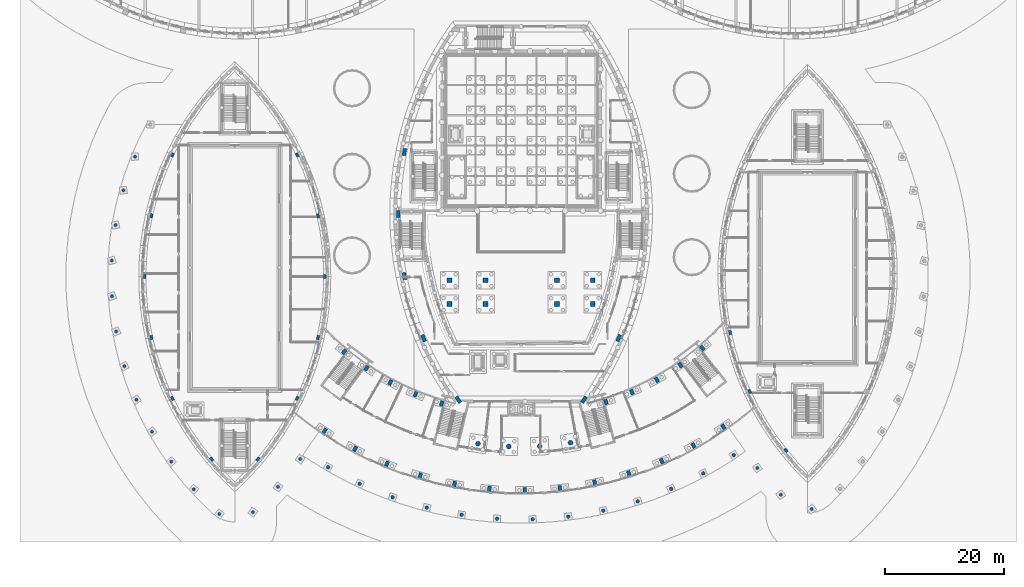
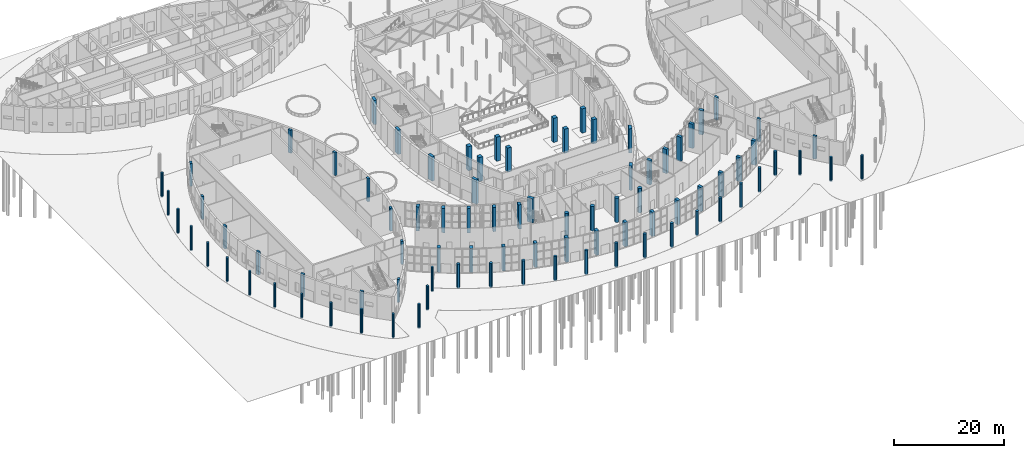
# One storey, part 11 of 82: 88 columns.
"""IFC4 building model written with IfcOpenShell, lengths in metres."""

from ifc_helpers import new_model, si_unit, direction, frame, origin, origin_2d, place, context, subcontext, project, spatial, rectangle, circle, extrude, material, material_profile, profile_set, type_object, element, save


model = new_model("IFC4")

# Units and contexts
model_context = context("Model", 3, precision=1e-05, world=origin(), true_north=direction((0.0, 1.0)))
body_context = subcontext(model_context, "Body", "Model", "MODEL_VIEW")
ifc_project = project(units=[si_unit("LENGTHUNIT", "METRE"), si_unit("AREAUNIT", "SQUARE_METRE"), si_unit("VOLUMEUNIT", "CUBIC_METRE"), si_unit("PLANEANGLEUNIT", "RADIAN"), si_unit("MASSUNIT", "GRAM", prefix="KILO")], contexts=[model_context])

# Site, building, storey
site_placement = place(None, origin())
site = spatial("IfcSite", under=ifc_project, at=site_placement, CompositionType="ELEMENT")
building_placement = place(site_placement, origin())
building = spatial("IfcBuilding", under=site, at=building_placement, Name="Tide Square Theatres", CompositionType="ELEMENT")
storey_placement = place(building_placement, origin())
storey = spatial("IfcBuildingStorey", under=building, at=storey_placement, Name="L00", CompositionType="ELEMENT", Elevation=0.0)

# Columns
ifc_material_1 = material(Name="Concrete C40", Category="concrete")
ifc_material_profile_1 = material_profile(ifc_material_1, rectangle(XDim=0.800048828125, YDim=0.800048828125, at=origin_2d()))
ifc_profile_set_1 = profile_set([ifc_material_profile_1], Name="Concrete C40")
column_type_1 = type_object("IfcColumnType", Name="RC column 800 x 800", PredefinedType="COLUMN", material=ifc_profile_set_1)
for number, where, z_axis, x_axis, name in (
    (1, (72.0, 43.89990234375, 0.0), (0.0, 0.0, 1.0), (1.0, 0.0, 0.0), "Circle front column"),
    (2, (78.0, 43.89990234375, 0.0), (0.0, 0.0, 1.0), (1.0, 0.0, 0.0), "Circle front column"),
    (3, (90.0, 43.89990234375, 0.0), (0.0, 0.0, 1.0), (1.0, 0.0, 0.0), "Circle front column"),
    (4, (96.0, 43.89990234375, 0.0), (0.0, 0.0, 1.0), (1.0, 0.0, 0.0), "Circle front column"),
    (5, (72.0, 39.89990234375, 0.0), (0.0, 0.0, 1.0), (1.0, 0.0, 0.0), "Circle front column"),
    (6, (78.0, 39.89990234375, 0.0), (0.0, 0.0, 1.0), (1.0, 0.0, 0.0), "Circle front column"),
    (7, (90.0, 39.89990234375, 0.0), (0.0, 0.0, 1.0), (1.0, 0.0, 0.0), "Circle front column"),
    (8, (96.0, 39.89990234375, 0.0), (0.0, 0.0, 1.0), (1.0, 0.0, 0.0), "Circle front column"),
):
    element("IfcColumn", number, at=place(storey_placement, frame(where, z_axis=z_axis, x_axis=x_axis)), inside=storey, type_object=column_type_1, Name=name, PredefinedType="COLUMN", context=body_context, shape_type="SweptSolid", body=[
        extrude(rectangle(XDim=0.800048828125, YDim=0.800048828125, at=origin_2d()), origin(), (0.0, 0.0, 1.0), 5.39990234375),
    ])
ifc_material_2 = material(Name="Concrete C40", Category="concrete")
ifc_material_profile_2 = material_profile(ifc_material_2, rectangle(XDim=1.199951171875, YDim=0.60009765625, at=origin_2d()))
ifc_profile_set_2 = profile_set([ifc_material_profile_2], Name="Concrete C40")
column_type_2 = type_object("IfcColumnType", Name="RC pier 1200 x 600", PredefinedType="PILASTER", material=ifc_profile_set_2)
for number, where, z_axis, x_axis, name in (
    (9, (94.5400390625, 23.878173828125, 0.0), (0.0, 0.0, 1.0), (0.562978035902, 0.82647185741, 0.0), "Rib foot pier"),
    (10, (100.35986328125, 34.2119140625, 0.0), (0.0, 0.0, 1.0), (0.416344267901, 0.90920704495, 0.0), "Rib foot pier"),
    (11, (73.4599609375, 23.878173828125, 0.0), (0.0, 0.0, 1.0), (0.562978035902, -0.82647185741, 0.0), "Rib foot pier"),
    (12, (67.651123046875, 34.185791015625, 0.0), (0.0, 0.0, 1.0), (0.366955870742, -0.930238350601, 0.0), "Rib foot pier"),
    (13, (64.443115234375, 44.58642578125, 0.0), (0.0, 0.0, 1.0), (0.171172540003, -0.985241067734, 0.0), "Rib foot pier"),
    (14, (63.414794921875, 54.987060546875, 0.0), (0.0, 0.0, 1.0), (-0.024571762574, -0.999698068661, 0.0), "Rib foot pier"),
    (15, (64.43798828125, 65.3876953125, 0.0), (0.0, 0.0, 1.0), (-0.220356962886, -0.975419299024, 0.0), "Rib foot pier"),
):
    element("IfcColumn", number, at=place(storey_placement, frame(where, z_axis=z_axis, x_axis=x_axis)), inside=storey, type_object=column_type_2, Name=name, PredefinedType="PILASTER", context=body_context, shape_type="SweptSolid", body=[
        extrude(rectangle(XDim=1.199951171875, YDim=0.60009765625, at=origin_2d()), origin(), (0.0, 0.0, 1.0), 5.39990234375),
    ])
ifc_material_3 = material(Name="Concrete C40", Category="concrete")
ifc_material_profile_3 = material_profile(ifc_material_3, rectangle(XDim=0.699951171875, YDim=0.449951171875, at=origin_2d()))
ifc_profile_set_3 = profile_set([ifc_material_profile_3], Name="Concrete C40")
column_type_3 = type_object("IfcColumnType", Name="RC pier 700 x 450", PredefinedType="PILASTER", material=ifc_profile_set_3)
for number, where, z_axis, x_axis, name in (
    (16, (39.86279296875, 13.90380859375, 0.0), (0.0, 0.0, 1.0), (0.646183644891, 0.763181955418, 0.0), "Studio Theatre wall pier"),
    (17, (46.452392578125, 24.103515625, 0.0), (0.0, 0.0, 1.0), (0.433813735983, 0.901002576285, 0.0), "Studio Theatre wall pier"),
    (18, (49.95703125, 34.3017578125, 0.0), (0.0, 0.0, 1.0), (0.216640755448, 0.976251393381, 0.0), "Studio Theatre wall pier"),
    (19, (51.06787109375, 44.5, 0.0), (0.0, 0.0, 1.0), (0.0, 1.0, 0.0), "Studio Theatre wall pier"),
    (20, (49.95703125, 54.6982421875, 0.0), (0.0, 0.0, 1.0), (-0.216640755448, 0.976251393381, 0.0), "Studio Theatre wall pier"),
    (21, (46.452392578125, 64.896484375, 0.0), (0.0, 0.0, 1.0), (-0.433813735983, 0.901002576285, 0.0), "Studio Theatre wall pier"),
    (22, (32.13720703125, 13.90380859375, 0.0), (0.0, 0.0, 1.0), (0.646183644891, -0.763181955418, 0.0), "Studio Theatre wall pier"),
    (23, (25.547607421875, 24.103515625, 0.0), (0.0, 0.0, 1.0), (0.433813735983, -0.901002576285, 0.0), "Studio Theatre wall pier"),
    (24, (22.04296875, 34.3017578125, 0.0), (0.0, 0.0, 1.0), (0.216640755448, -0.976251393381, 0.0), "Studio Theatre wall pier"),
    (25, (20.93212890625, 44.5, 0.0), (0.0, 0.0, 1.0), (0.0, -1.0, 0.0), "Studio Theatre wall pier"),
    (26, (22.04296875, 54.6982421875, 0.0), (0.0, 0.0, 1.0), (-0.216640755448, -0.976251393381, 0.0), "Studio Theatre wall pier"),
    (27, (25.547607421875, 64.896484375, 0.0), (0.0, 0.0, 1.0), (-0.433813735983, -0.901002576285, 0.0), "Studio Theatre wall pier"),
    (28, (128.390625, 15.390869140625, 0.0), (0.0, 0.0, 1.0), (0.625818839057, -0.779968448517, 0.0), "Black Box Theatre wall pier"),
    (29, (122.305908203125, 25.261474609375, 0.0), (0.0, 0.0, 1.0), (0.419559661178, -0.907727762444, 0.0), "Black Box Theatre wall pier"),
    (30, (119.037353515625, 35.130615234375, 0.0), (0.0, 0.0, 1.0), (0.20956121082, -0.977795530221, 0.0), "Black Box Theatre wall pier"),
):
    element("IfcColumn", number, at=place(storey_placement, frame(where, z_axis=z_axis, x_axis=x_axis)), inside=storey, type_object=column_type_3, Name=name, PredefinedType="PILASTER", context=body_context, shape_type="SweptSolid", body=[
        extrude(rectangle(XDim=0.699951171875, YDim=0.449951171875, at=origin_2d()), origin(), (0.0, 0.0, 1.0), 5.10009765625),
    ])
ifc_material_4 = material(Name="Concrete C40", Category="concrete")
ifc_material_profile_4 = material_profile(ifc_material_4, rectangle(XDim=0.89990234375, YDim=0.60009765625, at=origin_2d()))
ifc_profile_set_4 = profile_set([ifc_material_profile_4], Name="Concrete C40")
column_type_4 = type_object("IfcColumnType", Name="RC pier 900 x 600", PredefinedType="PILASTER", material=ifc_profile_set_4)
for number, where, z_axis, x_axis, name in (
    (31, (54.338134765625, 31.9296875, 0.0), (0.0, 0.0, 1.0), (-0.63515659779, -0.772383386851, 0.0), "Foyer inner pier"),
    (32, (51.08251953125, 18.67529296875, 0.0), (0.0, 0.0, 1.0), (-0.555099959227, -0.831783646909, 0.0), "Foyer outer pier"),
    (33, (58.076904296875, 29.15576171875, 0.0), (0.0, 0.0, 1.0), (-0.555099959227, -0.831783646909, 0.0), "Foyer inner pier"),
    (34, (56.156982421875, 15.64306640625, 0.0), (0.0, 0.0, 1.0), (-0.469527039093, -0.882918093348, 0.0), "Foyer outer pier"),
    (35, (62.072998046875, 26.767578125, 0.0), (0.0, 0.0, 1.0), (-0.469527039093, -0.882918093348, 0.0), "Foyer inner pier"),
    (36, (61.50830078125, 13.131103515625, 0.0), (0.0, 0.0, 1.0), (-0.379288214538, -0.925278579841, 0.0), "Foyer outer pier"),
    (37, (66.287109375, 24.78955078125, 0.0), (0.0, 0.0, 1.0), (-0.379288214538, -0.925278579841, 0.0), "Foyer inner pier"),
    (38, (67.082763671875, 11.164306640625, 0.0), (0.0, 0.0, 1.0), (-0.285281902737, -0.958443652997, 0.0), "Foyer outer pier"),
    (39, (70.677490234375, 23.24072265625, 0.0), (0.0, 0.0, 1.0), (-0.285281902737, -0.958443652997, 0.0), "Foyer inner pier"),
    (40, (72.82568359375, 9.762451171875, 0.0), (0.0, 0.0, 1.0), (-0.188438999586, -0.982084896246, 0.0), "Foyer outer pier"),
    (41, (78.679443359375, 8.939208984375, 0.0), (0.0, 0.0, 1.0), (-0.089723492117, -0.995966713782, 0.0), "Foyer outer pier"),
    (42, (84.586181640625, 8.702880859375, 0.0), (0.0, 0.0, 1.0), (0.009883638631, -0.999951155651, 0.0), "Foyer outer pier"),
    (43, (90.487060546875, 9.055908203125, 0.0), (0.0, 0.0, 1.0), (0.109392551153, -0.993998626635, 0.0), "Foyer outer pier"),
    (44, (96.323486328125, 9.99462890625, 0.0), (0.0, 0.0, 1.0), (0.207814379981, -0.978168279732, 0.0), "Foyer outer pier"),
    (45, (102.037353515625, 11.509765625, 0.0), (0.0, 0.0, 1.0), (0.304171062495, -0.952617428321, 0.0), "Foyer outer pier"),
    (46, (98.204833984375, 23.5126953125, 0.0), (0.0, 0.0, 1.0), (0.304171062495, -0.952617428321, 0.0), "Foyer inner pier"),
    (47, (107.572021484375, 13.586181640625, 0.0), (0.0, 0.0, 1.0), (0.397505058376, -0.917599982871, 0.0), "Foyer outer pier"),
    (48, (102.5634765625, 25.148193359375, 0.0), (0.0, 0.0, 1.0), (0.397505058376, -0.917599982871, 0.0), "Foyer inner pier"),
    (49, (112.87255859375, 16.20361328125, 0.0), (0.0, 0.0, 1.0), (0.486888865121, -0.873463927716, 0.0), "Foyer outer pier"),
    (50, (106.73779296875, 27.209228515625, 0.0), (0.0, 0.0, 1.0), (0.486888865121, -0.873463927716, 0.0), "Foyer inner pier"),
    (51, (117.885986328125, 19.335693359375, 0.0), (0.0, 0.0, 1.0), (0.571434235059, -0.820647862973, 0.0), "Foyer outer pier"),
    (52, (110.68603515625, 29.67578125, 0.0), (0.0, 0.0, 1.0), (0.571434235059, -0.820647862973, 0.0), "Foyer inner pier"),
    (53, (114.368896484375, 32.523193359375, 0.0), (0.0, 0.0, 1.0), (0.650301002274, -0.759676645976, 0.0), "Foyer inner pier"),
):
    element("IfcColumn", number, at=place(storey_placement, frame(where, z_axis=z_axis, x_axis=x_axis)), inside=storey, type_object=column_type_4, Name=name, PredefinedType="PILASTER", context=body_context, shape_type="SweptSolid", body=[
        extrude(rectangle(XDim=0.89990234375, YDim=0.60009765625, at=origin_2d()), origin(), (0.0, 0.0, 1.0), 5.39990234375),
    ])
ifc_material_5 = material(Name="Concrete C40", Category="concrete")
ifc_material_profile_5 = material_profile(ifc_material_5, circle(Radius=0.25, at=origin_2d()))
ifc_profile_set_5 = profile_set([ifc_material_profile_5], Name="Concrete C40")
column_type_5 = type_object("IfcColumnType", Name="RC round column D500", PredefinedType="COLUMN", material=ifc_profile_set_5)
for number, where, z_axis, x_axis, name in (
    (54, (19.2744140625, 64.614501953125, -0.25), (0.0, 0.0, 1.0), (1.0, 0.0, 0.0), "Arcade column"),
    (55, (17.32275390625, 58.970703125, -0.25), (0.0, 0.0, 1.0), (1.0, 0.0, 0.0), "Arcade column"),
    (56, (16.0185546875, 53.143310546875, -0.25), (0.0, 0.0, 1.0), (1.0, 0.0, 0.0), "Arcade column"),
    (57, (15.378662109375, 47.2060546875, -0.25), (0.0, 0.0, 1.0), (1.0, 0.0, 0.0), "Arcade column"),
    (58, (15.415283203125, 41.23486328125, -0.25), (0.0, 0.0, 1.0), (1.0, 0.0, 0.0), "Arcade column"),
    (59, (16.1220703125, 35.305908203125, -0.25), (0.0, 0.0, 1.0), (1.0, 0.0, 0.0), "Arcade column"),
    (60, (17.489501953125, 29.494140625, -0.25), (0.0, 0.0, 1.0), (1.0, 0.0, 0.0), "Arcade column"),
    (61, (19.499267578125, 23.8720703125, -0.25), (0.0, 0.0, 1.0), (1.0, 0.0, 0.0), "Arcade column"),
    (62, (22.12158203125, 18.50732421875, -0.25), (0.0, 0.0, 1.0), (1.0, 0.0, 0.0), "Arcade column"),
    (63, (25.348876953125, 13.483154296875, -0.25), (0.0, 0.0, 1.0), (1.0, 0.0, 0.0), "Arcade column"),
    (64, (29.118896484375, 8.8544921875, -0.25), (0.0, 0.0, 1.0), (1.0, 0.0, 0.0), "Arcade column"),
    (65, (33.415771484375, 4.72265625, -0.25), (0.0, 0.0, 1.0), (1.0, 0.0, 0.0), "Arcade column"),
    (66, (39.031494140625, 5.025390625, -0.25), (0.0, 0.0, 1.0), (1.0, 0.0, 0.0), "Arcade column"),
    (67, (43.243408203125, 9.25537109375, -0.25), (0.0, 0.0, 1.0), (1.0, 0.0, 0.0), "Arcade column"),
    (68, (46.958740234375, 13.927490234375, -0.25), (0.0, 0.0, 1.0), (1.0, 0.0, 0.0), "Arcade column"),
    (69, (123.57861328125, 12.431396484375, -0.25), (0.0, 0.0, 1.0), (1.0, 0.0, 0.0), "Arcade column"),
    (70, (127.514404296875, 7.94287109375, -0.25), (0.0, 0.0, 1.0), (1.0, 0.0, 0.0), "Arcade column"),
    (71, (132.682373046875, 5.54736328125, -0.25), (0.0, 0.0, 1.0), (1.0, 0.0, 0.0), "Arcade column"),
):
    element("IfcColumn", number, at=place(storey_placement, frame(where, z_axis=z_axis, x_axis=x_axis)), inside=storey, type_object=column_type_5, Name=name, PredefinedType="COLUMN", context=body_context, shape_type="SweptSolid", body=[
        extrude(circle(Radius=0.25, at=origin_2d()), origin(), (0.0, 0.0, 1.0), 5.449951171875),
    ])
ifc_material_6 = material(Name="Concrete C40", Category="concrete")
ifc_material_profile_6 = material_profile(ifc_material_6, circle(Radius=0.300048828125, at=origin_2d()))
ifc_profile_set_6 = profile_set([ifc_material_profile_6], Name="Concrete C40")
column_type_6 = type_object("IfcColumnType", Name="RC round column D600", PredefinedType="COLUMN", material=ifc_profile_set_6)
for number, where, z_axis, x_axis, name in (
    (72, (51.635498046875, 12.5546875, -0.25), (0.0, 0.0, 1.0), (1.0, 0.0, 0.0), "Arcade column"),
    (73, (56.927734375, 9.787109375, -0.25), (0.0, 0.0, 1.0), (1.0, 0.0, 0.0), "Arcade column"),
    (74, (62.454345703125, 7.5234375, -0.25), (0.0, 0.0, 1.0), (1.0, 0.0, 0.0), "Arcade column"),
    (75, (68.167236328125, 5.782958984375, -0.25), (0.0, 0.0, 1.0), (1.0, 0.0, 0.0), "Arcade column"),
    (76, (74.01708984375, 4.580810546875, -0.25), (0.0, 0.0, 1.0), (1.0, 0.0, 0.0), "Arcade column"),
    (77, (79.953369140625, 3.927734375, -0.25), (0.0, 0.0, 1.0), (1.0, 0.0, 0.0), "Arcade column"),
    (78, (85.9248046875, 3.828857421875, -0.25), (0.0, 0.0, 1.0), (1.0, 0.0, 0.0), "Arcade column"),
    (79, (91.87939453125, 4.285400390625, -0.25), (0.0, 0.0, 1.0), (1.0, 0.0, 0.0), "Arcade column"),
    (80, (97.765869140625, 5.293212890625, -0.25), (0.0, 0.0, 1.0), (1.0, 0.0, 0.0), "Arcade column"),
    (81, (103.533203125, 6.84375, -0.25), (0.0, 0.0, 1.0), (1.0, 0.0, 0.0), "Arcade column"),
    (82, (109.131591796875, 8.92333984375, -0.25), (0.0, 0.0, 1.0), (1.0, 0.0, 0.0), "Arcade column"),
    (83, (114.512451171875, 11.514404296875, -0.25), (0.0, 0.0, 1.0), (1.0, 0.0, 0.0), "Arcade column"),
    (84, (119.629150390625, 14.593994140625, -0.25), (0.0, 0.0, 1.0), (1.0, 0.0, 0.0), "Arcade column"),
):
    element("IfcColumn", number, at=place(storey_placement, frame(where, z_axis=z_axis, x_axis=x_axis)), inside=storey, type_object=column_type_6, Name=name, PredefinedType="COLUMN", context=body_context, shape_type="SweptSolid", body=[
        extrude(circle(Radius=0.300048828125, at=origin_2d()), origin(), (0.0, 0.0, 1.0), 5.449951171875),
    ])
ifc_material_7 = material(Name="Concrete C40", Category="concrete")
ifc_material_profile_7 = material_profile(ifc_material_7, circle(Radius=0.39990234375, at=origin_2d()))
ifc_profile_set_7 = profile_set([ifc_material_profile_7], Name="Concrete C40")
column_type_7 = type_object("IfcColumnType", Name="RC round column D800", PredefinedType="COLUMN", material=ifc_profile_set_7)
for number, where, z_axis, x_axis, name in (
    (85, (76.7587890625, 16.506591796875, 0.0), (0.0, 0.0, 1.0), (1.0, 0.0, 0.0), "Foyer feature column"),
    (86, (81.921630859375, 16.04150390625, 0.0), (0.0, 0.0, 1.0), (1.0, 0.0, 0.0), "Foyer feature column"),
    (87, (87.10498046875, 16.0927734375, 0.0), (0.0, 0.0, 1.0), (1.0, 0.0, 0.0), "Foyer feature column"),
    (88, (92.2578125, 16.659912109375, 0.0), (0.0, 0.0, 1.0), (1.0, 0.0, 0.0), "Foyer feature column"),
):
    element("IfcColumn", number, at=place(storey_placement, frame(where, z_axis=z_axis, x_axis=x_axis)), inside=storey, type_object=column_type_7, Name=name, PredefinedType="COLUMN", context=body_context, shape_type="SweptSolid", body=[
        extrude(circle(Radius=0.39990234375, at=origin_2d()), origin(), (0.0, 0.0, 1.0), 5.39990234375),
    ])

save(model, "model.ifc")
